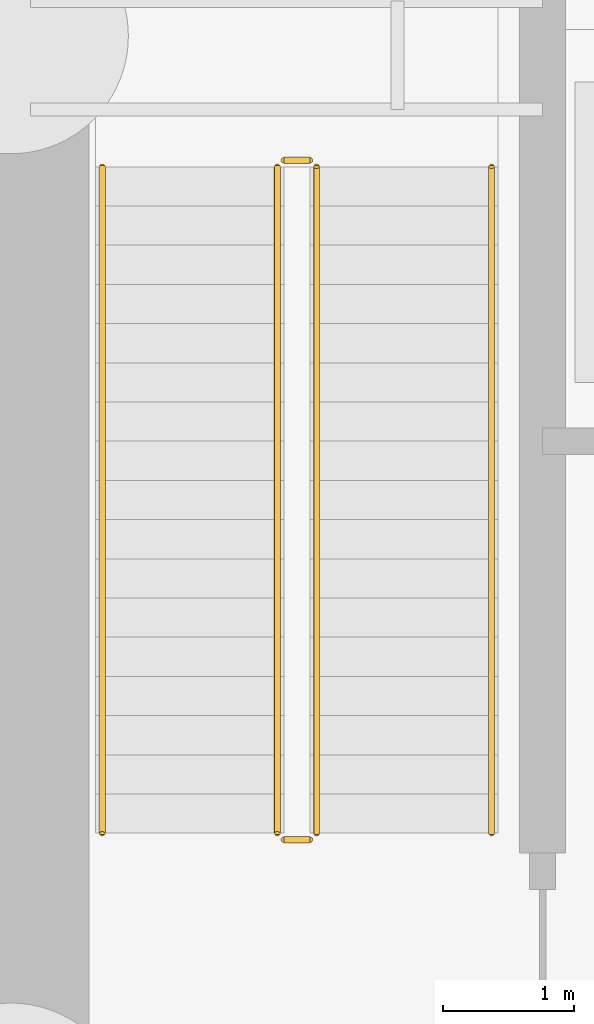
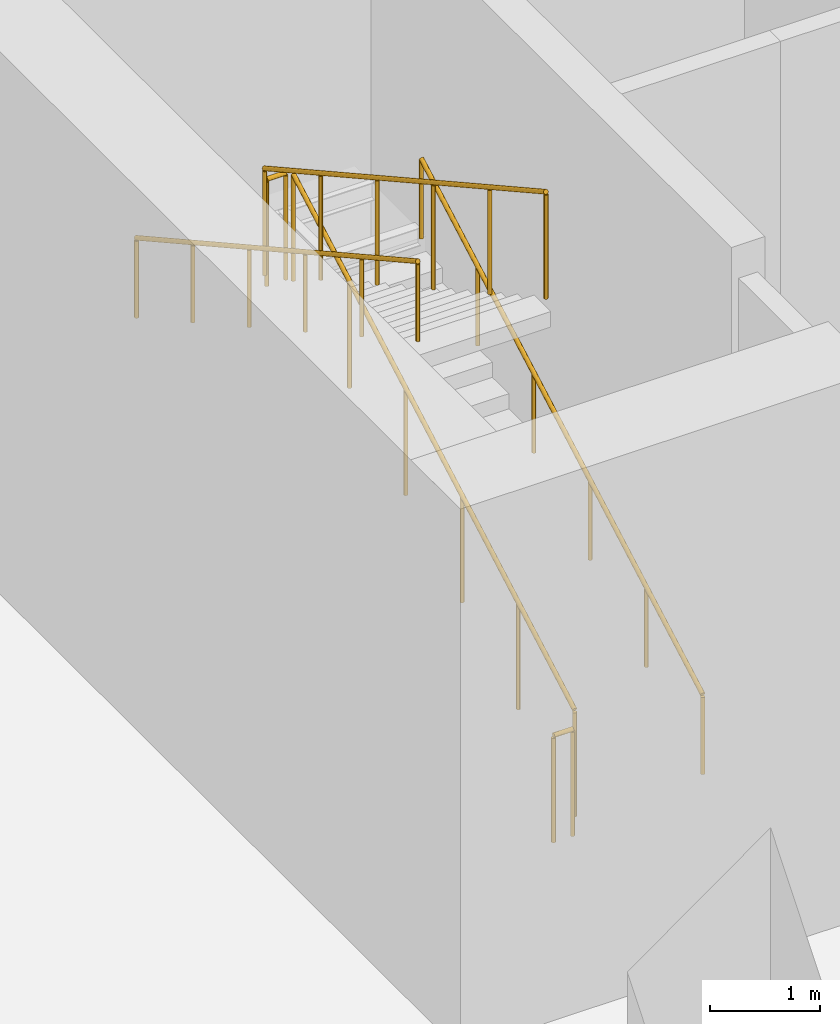
# One storey, part 18 of 20: 6 railings.
"""IFC4 building model written with IfcOpenShell, lengths in metres."""

import ifcopenshell
import ifcopenshell.guid

model = None  # the IFC model being written
_history = None  # IfcOwnerHistory: only IFC2X3 demands one
_inside = {}  # id of a spatial element -> (the spatial element, [elements in it])
_under = {}  # id of a project, library or spatial element -> (it, [spatial elements below it])
_declared = {}  # id of a project -> (the project, [libraries it declares])
_typed = {}  # id of a type object -> (the type object, [elements of that type])
_made_of = {}  # id of a material, layer set ... -> (it, [elements and type objects made of it])


def new_model(schema):
    """Start an empty IFC model of exactly this schema.

    Asked for "IFC4X3", IfcOpenShell would pick the latest addendum, in which some entities
    have other attributes; the version numbers below select the first issue.
    IFC2X3 requires an IfcOwnerHistory on every rooted entity: one is made here for all.
    """
    global model, _history
    if schema == "IFC4X3":
        model = ifcopenshell.file(schema_version=(4, 3, 0, 0))
    else:
        model = ifcopenshell.file(schema=schema)
    _inside.clear()
    _under.clear()
    _declared.clear()
    _typed.clear()
    _made_of.clear()
    _history = None
    if model.schema == "IFC2X3":
        org = make("IfcOrganization", Name="unknown")
        user = make(
            "IfcPersonAndOrganization",
            ThePerson=make("IfcPerson", FamilyName="unknown"),
            TheOrganization=org,
        )
        app = make(
            "IfcApplication",
            ApplicationDeveloper=org,
            Version="unknown",
            ApplicationFullName="unknown",
            ApplicationIdentifier="unknown",
        )
        _history = make(
            "IfcOwnerHistory",
            OwningUser=user,
            OwningApplication=app,
            ChangeAction="ADDED",
            CreationDate=0,
        )
    return model


def make(cls, **values):
    """One entity of the class cls with the attributes given. An attribute that is None is left unset."""
    return model.create_entity(
        cls, **{name: value for name, value in values.items() if value is not None}
    )


def rooted(cls, **values):
    """An entity with a GlobalId (a new one), such as an element, a storey or a relation."""
    return make(cls, GlobalId=ifcopenshell.guid.new(), OwnerHistory=_history, **values)


def si_unit(unit_type, name, prefix=None):
    """IfcSIUnit, for example si_unit("LENGTHUNIT", "METRE", prefix="MILLI")."""
    return make("IfcSIUnit", UnitType=unit_type, Prefix=prefix, Name=name)


def assignment(units):
    """IfcUnitAssignment: the units of a project."""
    return None if units is None else make("IfcUnitAssignment", Units=units)


def point(xyz):
    """IfcCartesianPoint."""
    return None if xyz is None else make("IfcCartesianPoint", Coordinates=xyz)


def direction(xyz):
    """IfcDirection."""
    return None if xyz is None else make("IfcDirection", DirectionRatios=xyz)


def frame(location, z_axis=None, x_axis=None):
    """IfcAxis2Placement3D, a coordinate frame: its origin and axes. An axis left out is left unset."""
    return make(
        "IfcAxis2Placement3D",
        Location=point(location),
        Axis=direction(z_axis),
        RefDirection=direction(x_axis),
    )


def frame_2d(location, x_axis=None):
    """IfcAxis2Placement2D, a coordinate frame in the plane: its origin and x axis."""
    return make(
        "IfcAxis2Placement2D", Location=point(location), RefDirection=direction(x_axis)
    )


def origin():
    """The frame at (0, 0, 0) with its axes left unset."""
    return frame((0.0, 0.0, 0.0))


def origin_2d():
    """The frame at (0, 0) in the plane with its x axis left unset."""
    return frame_2d((0.0, 0.0))


def place(relative_to, where):
    """IfcLocalPlacement: puts the frame where relative to a parent placement (None: the world)."""
    return make(
        "IfcLocalPlacement", PlacementRelTo=relative_to, RelativePlacement=where
    )


def context(
    kind, dimensions, precision=None, world=None, true_north=None, identifier=None
):
    """IfcGeometricRepresentationContext, for example the 3D "Model" context."""
    return make(
        "IfcGeometricRepresentationContext",
        ContextIdentifier=identifier,
        ContextType=kind,
        CoordinateSpaceDimension=dimensions,
        Precision=precision,
        WorldCoordinateSystem=world,
        TrueNorth=true_north,
    )


def subcontext(parent, identifier, kind, view, scale=None):
    """IfcGeometricRepresentationSubContext, for example "Body" below "Model"."""
    return make(
        "IfcGeometricRepresentationSubContext",
        ContextIdentifier=identifier,
        ContextType=kind,
        ParentContext=parent,
        TargetScale=scale,
        TargetView=view,
    )


def project(units=None, contexts=None):
    """IfcProject with its units and contexts."""
    return rooted(
        "IfcProject",
        Name="project",
        RepresentationContexts=contexts,
        UnitsInContext=assignment(units),
    )


def spatial(cls, under=None, at=None, **own):
    """A site, building, storey or space (cls), placed at a placement, below another one or the project."""
    s = rooted(cls, ObjectPlacement=at, **own)
    if under is not None:
        _under.setdefault(under.id(), (under, []))[1].append(s)
    return s


def profile(cls, at=None, kind="AREA", **sizes):
    """A parametric profile (cls). Its sizes go by their IFC names, for example OverallWidth=200.0."""
    return make(cls, ProfileType=kind, Position=at, **sizes)


def circle(**sizes):
    """IfcCircleProfileDef."""
    return profile("IfcCircleProfileDef", **sizes)


def extrude(swept, where, along, depth):
    """IfcExtrudedAreaSolid: the profile swept, set in the frame where, extruded along a direction by depth."""
    return make(
        "IfcExtrudedAreaSolid",
        SweptArea=swept,
        Position=where,
        ExtrudedDirection=direction(along),
        Depth=depth,
    )


def shape(context_of_items, identifier, shape_type, items):
    """IfcShapeRepresentation: the items that make up one representation, for example the "Body"."""
    return make(
        "IfcShapeRepresentation",
        ContextOfItems=context_of_items,
        RepresentationIdentifier=identifier,
        RepresentationType=shape_type,
        Items=items,
    )


def material(Name=None, Category=None):
    """IfcMaterial."""
    return make("IfcMaterial", Name=Name, Category=Category)


def made_of(thing, what):
    """Note that an element or type object is made of a material, layer set ...; save() writes the relation."""
    if what is not None:
        _made_of.setdefault(what.id(), (what, []))[1].append(thing)
    return thing


def type_object(cls, material=None, **own):
    """A type object (cls), such as IfcWallType, which elements share."""
    return made_of(rooted(cls, **own), material)


def element(
    cls,
    number,
    at=None,
    inside=None,
    cuts=None,
    type_object=None,
    material=None,
    context=None,
    identifier="Body",
    shape_type=None,
    held_by="IfcProductDefinitionShape",
    body=None,
    shapes=None,
    **own,
):
    """One element of the class cls, such as IfcWall. Its Tag is "e" and its number.

    at: its placement. inside: the storey or other place that contains it. cuts: it is an
    opening in that element (IfcRelVoidsElement). A single representation is given by context,
    identifier, shape_type and body (its items); several are given by shapes. held_by: the class
    of the entity that holds the representations. save() writes the other relations.
    """
    e = rooted(cls, Tag="e%d" % number, ObjectPlacement=at, **own)
    if body is not None:
        shapes = [shape(context, identifier, shape_type, body)]
    if shapes is not None:
        e.Representation = make(held_by, Representations=shapes)
    if inside is not None:
        _inside.setdefault(inside.id(), (inside, []))[1].append(e)
    if cuts is not None:
        rooted(
            "IfcRelVoidsElement", RelatingBuildingElement=cuts, RelatedOpeningElement=e
        )
    if type_object is not None:
        _typed.setdefault(type_object.id(), (type_object, []))[1].append(e)
    return made_of(e, material)


def aggregate(whole, parts):
    """IfcRelAggregates: a whole, such as a stair, and the parts it consists of."""
    return rooted("IfcRelAggregates", RelatingObject=whole, RelatedObjects=parts)


def save(model, path):
    """Write the relations noted so far, then the file.

    IfcRelAggregates (storeys below a building ...), IfcRelContainedInSpatialStructure (elements
    in a storey), IfcRelDefinesByType, IfcRelAssociatesMaterial and IfcRelDeclares: one each for
    every whole, place, type object, material and project.
    """
    for whole, parts in _under.values():
        aggregate(whole, parts)
    for where, things in _inside.values():
        rooted(
            "IfcRelContainedInSpatialStructure",
            RelatedElements=things,
            RelatingStructure=where,
        )
    for kind, things in _typed.values():
        rooted("IfcRelDefinesByType", RelatedObjects=things, RelatingType=kind)
    for what, things in _made_of.values():
        rooted("IfcRelAssociatesMaterial", RelatedObjects=things, RelatingMaterial=what)
    for by, libraries in _declared.values():
        rooted("IfcRelDeclares", RelatingContext=by, RelatedDefinitions=libraries)
    model.write(path)


model = new_model("IFC4")

# Units and contexts
model_context = context("Model", 3, precision=1e-05, world=origin(), true_north=direction((0.0, 1.0)))
body_context = subcontext(model_context, "Body", "Model", "MODEL_VIEW")
ifc_project = project(units=[si_unit("LENGTHUNIT", "METRE"), si_unit("AREAUNIT", "SQUARE_METRE"), si_unit("VOLUMEUNIT", "CUBIC_METRE"), si_unit("PLANEANGLEUNIT", "RADIAN"), si_unit("MASSUNIT", "GRAM", prefix="KILO")], contexts=[model_context])

# Site, building, storey
site_placement = place(None, origin())
site = spatial("IfcSite", under=ifc_project, at=site_placement, CompositionType="ELEMENT")
building_placement = place(site_placement, origin())
building = spatial("IfcBuilding", under=site, at=building_placement, Name="Qiaolan Cultural Towers", CompositionType="ELEMENT")
storey_placement = place(building_placement, frame((0.0, 0.0, -12.0)))
storey = spatial("IfcBuildingStorey", under=building, at=storey_placement, Name="B2", CompositionType="ELEMENT", Elevation=-12.0)

# Railings
ifc_material_1 = material(Name="Galvanized Painted Steel Stair Guardrail", Category="steel")
railing_type_1 = type_object("IfcRailingType", Name="RL-STAIR-GRD", PredefinedType="GUARDRAIL", material=ifc_material_1)
railing_1_placement = place(storey_placement, frame((23.989990234375, 48.449951171875, 0.166748046875)))
element("IfcRailing", 1, at=railing_1_placement, inside=storey, type_object=railing_type_1, Name="B2 ST-W2 stair guard 1", PredefinedType="GUARDRAIL", context=body_context, shape_type="SweptSolid", body=[
    extrude(circle(Radius=0.02392578125, at=origin_2d()), frame((0.0, 0.0, 1.17578125), z_axis=(0.0, 0.874167145328, 0.485625166182), x_axis=(-1.0, 0.0, 0.0)), (0.0, 0.0, 1.0), 5.834228515625),
    extrude(circle(Radius=0.02099609375, at=origin_2d()), origin(), (0.0, 0.0, 1.0), 1.15185546875),
    extrude(circle(Radius=0.02099609375, at=origin_2d()), frame((0.0, 1.02001953125, 0.566650390625)), (0.0, 0.0, 1.0), 1.15185546875),
    extrude(circle(Radius=0.02099609375, at=origin_2d()), frame((0.0, 2.0400390625, 1.13330078125)), (0.0, 0.0, 1.0), 1.15185546875),
    extrude(circle(Radius=0.02099609375, at=origin_2d()), frame((0.0, 3.06005859375, 1.699951171875)), (0.0, 0.0, 1.0), 1.15185546875),
    extrude(circle(Radius=0.02099609375, at=origin_2d()), frame((0.0, 4.080078125, 2.2666015625)), (0.0, 0.0, 1.0), 1.15185546875),
    extrude(circle(Radius=0.02099609375, at=origin_2d()), frame((0.0, 5.10009765625, 2.833251953125)), (0.0, 0.0, 1.0), 1.15185546875),
])
railing_2_placement = place(storey_placement, frame((23.93994140625, 53.60009765625, 3.0)))
element("IfcRailing", 2, at=railing_2_placement, inside=storey, type_object=railing_type_1, Name="B2 ST-W2 stair guard 2", PredefinedType="GUARDRAIL", context=body_context, shape_type="SweptSolid", body=[
    extrude(circle(Radius=0.02392578125, at=origin_2d()), frame((0.0, 0.0, 1.17578125), z_axis=(-1.0, 0.0, 0.0), x_axis=(0.0, -1.0, 0.0)), (0.0, 0.0, 1.0), 0.199951171875),
    extrude(circle(Radius=0.02099609375, at=origin_2d()), origin(), (0.0, 0.0, 1.0), 1.15185546875),
    extrude(circle(Radius=0.02099609375, at=origin_2d()), frame((-0.199951171875, 0.0, 0.0)), (0.0, 0.0, 1.0), 1.15185546875),
])
railing_3_placement = place(storey_placement, frame((23.68994140625, 53.550048828125, 3.166748046875)))
element("IfcRailing", 3, at=railing_3_placement, inside=storey, type_object=railing_type_1, Name="B2 ST-W2 stair guard 3", PredefinedType="GUARDRAIL", context=body_context, shape_type="SweptSolid", body=[
    extrude(circle(Radius=0.02392578125, at=origin_2d()), frame((0.0, 0.0, 1.17578125), z_axis=(0.0, -0.874167145328, 0.485625166182), x_axis=(1.0, 0.0, 0.0)), (0.0, 0.0, 1.0), 5.834228515625),
    extrude(circle(Radius=0.02099609375, at=origin_2d()), origin(), (0.0, 0.0, 1.0), 1.15185546875),
    extrude(circle(Radius=0.02099609375, at=origin_2d()), frame((0.0, -1.02001953125, 0.566650390625)), (0.0, 0.0, 1.0), 1.15185546875),
    extrude(circle(Radius=0.02099609375, at=origin_2d()), frame((0.0, -2.0400390625, 1.13330078125)), (0.0, 0.0, 1.0), 1.15185546875),
    extrude(circle(Radius=0.02099609375, at=origin_2d()), frame((0.0, -3.06005859375, 1.699951171875)), (0.0, 0.0, 1.0), 1.15185546875),
    extrude(circle(Radius=0.02099609375, at=origin_2d()), frame((0.0, -4.080078125, 2.2666015625)), (0.0, 0.0, 1.0), 1.15185546875),
    extrude(circle(Radius=0.02099609375, at=origin_2d()), frame((0.0, -5.10009765625, 2.833251953125)), (0.0, 0.0, 1.0), 1.15185546875),
])
railing_4_placement = place(storey_placement, frame((23.93994140625, 48.39990234375, 0.0)))
element("IfcRailing", 4, at=railing_4_placement, inside=storey, type_object=railing_type_1, Name="B2 ST-W2 stair guard 4", PredefinedType="GUARDRAIL", context=body_context, shape_type="SweptSolid", body=[
    extrude(circle(Radius=0.02392578125, at=origin_2d()), frame((0.0, 0.0, 1.17578125), z_axis=(-1.0, 0.0, 0.0), x_axis=(0.0, -1.0, 0.0)), (0.0, 0.0, 1.0), 0.199951171875),
    extrude(circle(Radius=0.02099609375, at=origin_2d()), origin(), (0.0, 0.0, 1.0), 1.15185546875),
    extrude(circle(Radius=0.02099609375, at=origin_2d()), frame((-0.199951171875, 0.0, 0.0)), (0.0, 0.0, 1.0), 1.15185546875),
])
ifc_material_2 = material(Name="Stainless Steel S30408 Tubular Handrail", Category="steel")
railing_type_2 = type_object("IfcRailingType", Name="RL-STAIR-HR", PredefinedType="HANDRAIL", material=ifc_material_2)
railing_5_placement = place(storey_placement, frame((25.330078125, 48.449951171875, 0.166748046875)))
element("IfcRailing", 5, at=railing_5_placement, inside=storey, type_object=railing_type_2, Name="B2 ST-W2 stair handrail 1", PredefinedType="HANDRAIL", context=body_context, shape_type="SweptSolid", body=[
    extrude(circle(Radius=0.02392578125, at=origin_2d()), frame((0.0, 0.0, 0.8759765625), z_axis=(0.0, 0.874167145328, 0.485625166182), x_axis=(-1.0, 0.0, 0.0)), (0.0, 0.0, 1.0), 5.834228515625),
    extrude(circle(Radius=0.02099609375, at=origin_2d()), origin(), (0.0, 0.0, 1.0), 0.851806640625),
    extrude(circle(Radius=0.02099609375, at=origin_2d()), frame((0.0, 1.02001953125, 0.566650390625)), (0.0, 0.0, 1.0), 0.851806640625),
    extrude(circle(Radius=0.02099609375, at=origin_2d()), frame((0.0, 2.0400390625, 1.13330078125)), (0.0, 0.0, 1.0), 0.851806640625),
    extrude(circle(Radius=0.02099609375, at=origin_2d()), frame((0.0, 3.06005859375, 1.699951171875)), (0.0, 0.0, 1.0), 0.851806640625),
    extrude(circle(Radius=0.02099609375, at=origin_2d()), frame((0.0, 4.080078125, 2.2666015625)), (0.0, 0.0, 1.0), 0.851806640625),
    extrude(circle(Radius=0.02099609375, at=origin_2d()), frame((0.0, 5.10009765625, 2.833251953125)), (0.0, 0.0, 1.0), 0.851806640625),
])
railing_6_placement = place(storey_placement, frame((22.35009765625, 53.550048828125, 3.166748046875)))
element("IfcRailing", 6, at=railing_6_placement, inside=storey, type_object=railing_type_2, Name="B2 ST-W2 stair handrail 2", PredefinedType="HANDRAIL", context=body_context, shape_type="SweptSolid", body=[
    extrude(circle(Radius=0.02392578125, at=origin_2d()), frame((0.0, 0.0, 0.8759765625), z_axis=(0.0, -0.874167145328, 0.485625166182), x_axis=(1.0, 0.0, 0.0)), (0.0, 0.0, 1.0), 5.834228515625),
    extrude(circle(Radius=0.02099609375, at=origin_2d()), origin(), (0.0, 0.0, 1.0), 0.851806640625),
    extrude(circle(Radius=0.02099609375, at=origin_2d()), frame((0.0, -1.02001953125, 0.566650390625)), (0.0, 0.0, 1.0), 0.851806640625),
    extrude(circle(Radius=0.02099609375, at=origin_2d()), frame((0.0, -2.0400390625, 1.13330078125)), (0.0, 0.0, 1.0), 0.851806640625),
    extrude(circle(Radius=0.02099609375, at=origin_2d()), frame((0.0, -3.06005859375, 1.699951171875)), (0.0, 0.0, 1.0), 0.851806640625),
    extrude(circle(Radius=0.02099609375, at=origin_2d()), frame((0.0, -4.080078125, 2.2666015625)), (0.0, 0.0, 1.0), 0.851806640625),
    extrude(circle(Radius=0.02099609375, at=origin_2d()), frame((0.0, -5.10009765625, 2.833251953125)), (0.0, 0.0, 1.0), 0.851806640625),
])

save(model, "model.ifc")
